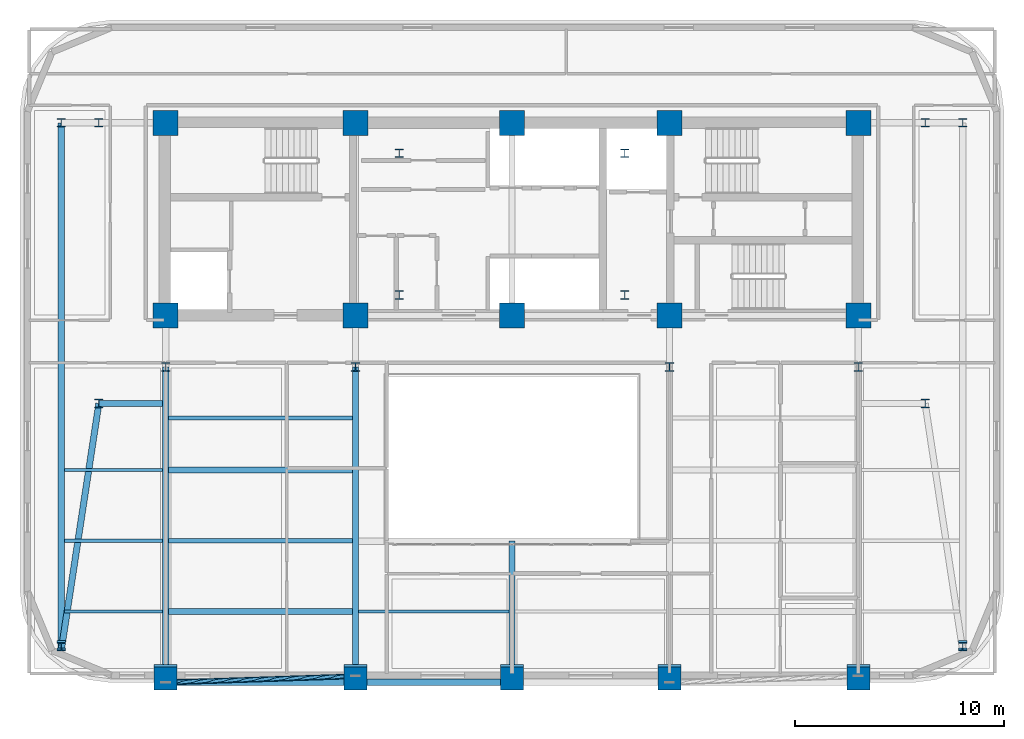
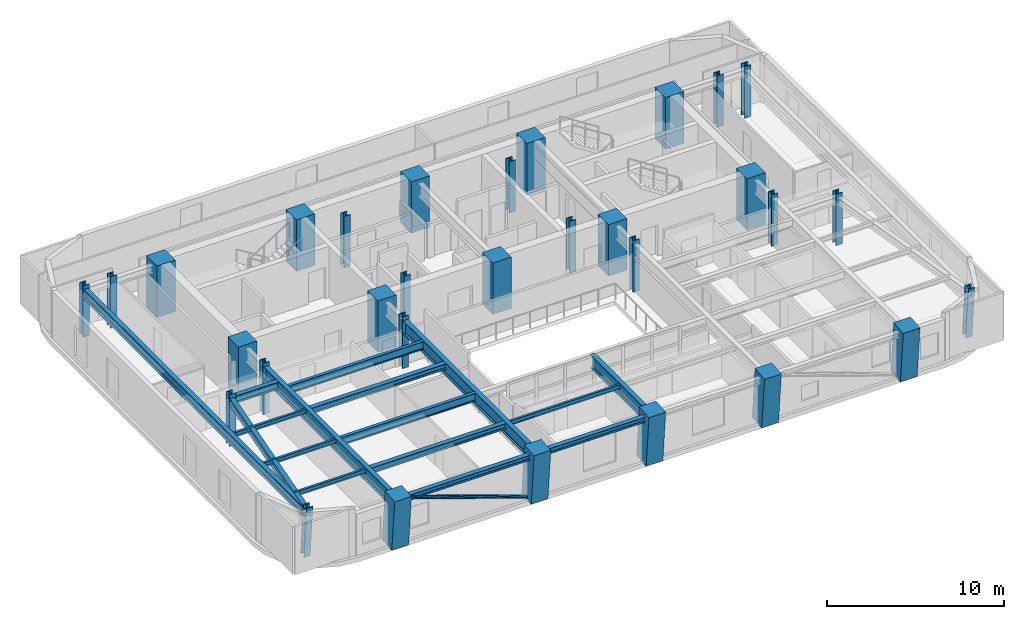
# One storey, part 1 of 12: 31 columns, 16 beams, 1 member.
"""IFC4 building model written with IfcOpenShell, lengths in metres."""

from ifc_helpers import new_model, si_unit, direction, frame, origin, origin_2d, place, context, subcontext, project, spatial, rectangle, hollow_circle, i_section, extrude, material, material_profile, profile_set, type_object, element, save


model = new_model("IFC4")

# Units and contexts
model_context = context("Model", 3, precision=1e-05, world=origin(), true_north=direction((0.0, 1.0)))
body_context = subcontext(model_context, "Body", "Model", "MODEL_VIEW")
ifc_project = project(units=[si_unit("LENGTHUNIT", "METRE"), si_unit("AREAUNIT", "SQUARE_METRE"), si_unit("VOLUMEUNIT", "CUBIC_METRE"), si_unit("PLANEANGLEUNIT", "RADIAN"), si_unit("MASSUNIT", "GRAM", prefix="KILO")], contexts=[model_context])

# Site, building, storey
site_placement = place(None, origin())
site = spatial("IfcSite", under=ifc_project, at=site_placement, CompositionType="ELEMENT")
building_placement = place(site_placement, origin())
building = spatial("IfcBuilding", under=site, at=building_placement, Name="Zarnavel Station Tower", CompositionType="ELEMENT")
storey_placement = place(building_placement, frame((0.0, 0.0, 173.199951171875)))
storey = spatial("IfcBuildingStorey", under=building, at=storey_placement, Name="L47", CompositionType="ELEMENT", Elevation=173.199951171875)

# Columns
ifc_material_1 = material(Name="Steel S355J2", Category="steel")
ifc_material_profile_1 = material_profile(ifc_material_1, i_section(OverallWidth=0.4130859375, OverallDepth=0.4150390625, WebThickness=0.030029296875, FlangeThickness=0.047119140625, FilletRadius=0.014892578125, at=origin_2d()), Name="HD400x347")
ifc_profile_set_1 = profile_set([ifc_material_profile_1], Name="Steel S355J2")
column_type_1 = type_object("IfcColumnType", Name="EC_HD347", PredefinedType="COLUMN", material=ifc_profile_set_1)
column_1_placement = place(storey_placement, frame((7.199951171875, 12.04248046875, 0.0), z_axis=(0.0, -0.079862380324, 0.996805898964), x_axis=(1.0, 0.0, 0.0)))
element("IfcColumn", 1, at=column_1_placement, inside=storey, type_object=column_type_1, Name="L47 Raked Wing Column 1", PredefinedType="COLUMN", context=body_context, shape_type="SweptSolid", body=[
    extrude(i_section(OverallWidth=0.4130859375, OverallDepth=0.4150390625, WebThickness=0.030029296875, FlangeThickness=0.047119140625, FilletRadius=0.014892578125, at=origin_2d()), origin(), (0.0, 0.0, 1.0), 3.5615234375),
])
column_2_placement = place(storey_placement, frame((7.199951171875, 37.050048828125, 0.0), z_axis=(0.0, 0.0, 1.0), x_axis=(1.0, 0.0, 0.0)))
element("IfcColumn", 2, at=column_2_placement, inside=storey, type_object=column_type_1, Name="L47 Outer Wing North Column 1", PredefinedType="COLUMN", context=body_context, shape_type="SweptSolid", body=[
    extrude(i_section(OverallWidth=0.4130859375, OverallDepth=0.4150390625, WebThickness=0.030029296875, FlangeThickness=0.047119140625, FilletRadius=0.014892578125, at=origin_2d()), origin(), (0.0, 0.0, 1.0), 3.550048828125),
])
column_3_placement = place(storey_placement, frame((50.39990234375, 12.04248046875, 0.0), z_axis=(0.0, -0.079862380324, 0.996805898964), x_axis=(1.0, 0.0, 0.0)))
element("IfcColumn", 3, at=column_3_placement, inside=storey, type_object=column_type_1, Name="L47 Raked Wing Column 2", PredefinedType="COLUMN", context=body_context, shape_type="SweptSolid", body=[
    extrude(i_section(OverallWidth=0.4130859375, OverallDepth=0.4150390625, WebThickness=0.030029296875, FlangeThickness=0.047119140625, FilletRadius=0.014892578125, at=origin_2d()), origin(), (0.0, 0.0, 1.0), 3.5615234375),
])
column_4_placement = place(storey_placement, frame((50.39990234375, 37.050048828125, 0.0), z_axis=(0.0, 0.0, 1.0), x_axis=(1.0, 0.0, 0.0)))
element("IfcColumn", 4, at=column_4_placement, inside=storey, type_object=column_type_1, Name="L47 Outer Wing North Column 2", PredefinedType="COLUMN", context=body_context, shape_type="SweptSolid", body=[
    extrude(i_section(OverallWidth=0.4130859375, OverallDepth=0.4150390625, WebThickness=0.030029296875, FlangeThickness=0.047119140625, FilletRadius=0.014892578125, at=origin_2d()), origin(), (0.0, 0.0, 1.0), 3.550048828125),
])
ifc_material_2 = material(Name="Steel S355J2", Category="steel")
ifc_material_profile_2 = material_profile(ifc_material_2, i_section(OverallWidth=0.4130859375, OverallDepth=0.4150390625, WebThickness=0.030029296875, FlangeThickness=0.047119140625, FilletRadius=0.014892578125, at=origin_2d()), Name="HD400x347")
ifc_profile_set_2 = profile_set([ifc_material_profile_2], Name="Steel S355J2")
column_type_2 = type_object("IfcColumnType", Name="IC_HD347", PredefinedType="COLUMN", material=ifc_profile_set_2)
for number, where, z_axis, x_axis, name in (
    (5, (23.39990234375, 28.800048828125, 0.0), (0.0, 0.0, 1.0), (1.0, 0.0, 0.0), "L47 Mast Spine Column 1"),
    (6, (34.199951171875, 28.800048828125, 0.0), (0.0, 0.0, 1.0), (1.0, 0.0, 0.0), "L47 Mast Spine Column 2"),
    (7, (34.199951171875, 35.60009765625, 0.0), (0.0, 0.0, 1.0), (1.0, 0.0, 0.0), "L47 Mast Spine Column 3"),
    (8, (23.39990234375, 35.60009765625, 0.0), (0.0, 0.0, 1.0), (1.0, 0.0, 0.0), "L47 Mast Spine Column 4"),
    (9, (12.199951171875, 25.35009765625, 0.0), (0.0, 0.0, 1.0), (1.0, 0.0, 0.0), "L47 Inner Spine Column 1"),
    (10, (21.300048828125, 25.35009765625, 0.0), (0.0, 0.0, 1.0), (1.0, 0.0, 0.0), "L47 Inner Spine Column 2"),
    (11, (36.35009765625, 25.35009765625, 0.0), (0.0, 0.0, 1.0), (1.0, 0.0, 0.0), "L47 Inner Spine Column 4"),
    (12, (45.39990234375, 25.35009765625, 0.0), (0.0, 0.0, 1.0), (1.0, 0.0, 0.0), "L47 Inner Spine Column 5"),
    (13, (9.0, 23.60009765625, 0.0), (0.0, 0.0, 1.0), (1.0, 0.0, 0.0), "L47 Inner Wing Spine Column 1-1"),
    (14, (9.0, 37.050048828125, 0.0), (0.0, 0.0, 1.0), (1.0, 0.0, 0.0), "L47 Inner Wing Spine Column 1-2"),
    (15, (48.60009765625, 23.60009765625, 0.0), (0.0, 0.0, 1.0), (1.0, 0.0, 0.0), "L47 Inner Wing Spine Column 2-1"),
    (16, (48.60009765625, 37.050048828125, 0.0), (0.0, 0.0, 1.0), (1.0, 0.0, 0.0), "L47 Inner Wing Spine Column 2-2"),
):
    element("IfcColumn", number, at=place(storey_placement, frame(where, z_axis=z_axis, x_axis=x_axis)), inside=storey, type_object=column_type_2, Name=name, PredefinedType="COLUMN", context=body_context, shape_type="SweptSolid", body=[
        extrude(i_section(OverallWidth=0.4130859375, OverallDepth=0.4150390625, WebThickness=0.030029296875, FlangeThickness=0.047119140625, FilletRadius=0.014892578125, at=origin_2d()), origin(), (0.0, 0.0, 1.0), 3.550048828125),
    ])
ifc_material_3 = material(Name="Concrete C50/60", Category="concrete")
ifc_material_profile_3 = material_profile(ifc_material_3, rectangle(XDim=1.199951171875, YDim=1.199951171875, at=origin_2d()), Name="RC1200x1200")
ifc_profile_set_3 = profile_set([ifc_material_profile_3], Name="Concrete C50/60")
column_type_3 = type_object("IfcColumnType", Name="IC_RC1200", PredefinedType="COLUMN", material=ifc_profile_set_3)
for number, where, z_axis, x_axis, name in (
    (17, (12.199951171875, 27.820068359375, 0.0), (0.0, 0.0, 1.0), (1.0, 0.0, 0.0), "L47 Core Spine Column 1-1"),
    (18, (12.199951171875, 37.050048828125, 0.0), (0.0, 0.0, 1.0), (1.0, 0.0, 0.0), "L47 Core Spine Column 1-2"),
    (19, (21.300048828125, 27.820068359375, 0.0), (0.0, 0.0, 1.0), (1.0, 0.0, 0.0), "L47 Core Spine Column 2-1"),
    (20, (21.300048828125, 37.050048828125, 0.0), (0.0, 0.0, 1.0), (1.0, 0.0, 0.0), "L47 Core Spine Column 2-2"),
    (21, (28.800048828125, 27.820068359375, 0.0), (0.0, 0.0, 1.0), (1.0, 0.0, 0.0), "L47 Core Spine Column 3-1"),
    (22, (28.800048828125, 37.050048828125, 0.0), (0.0, 0.0, 1.0), (1.0, 0.0, 0.0), "L47 Core Spine Column 3-2"),
    (23, (36.35009765625, 27.820068359375, 0.0), (0.0, 0.0, 1.0), (1.0, 0.0, 0.0), "L47 Core Spine Column 4-1"),
    (24, (36.35009765625, 37.050048828125, 0.0), (0.0, 0.0, 1.0), (1.0, 0.0, 0.0), "L47 Core Spine Column 4-2"),
    (25, (45.39990234375, 27.820068359375, 0.0), (0.0, 0.0, 1.0), (1.0, 0.0, 0.0), "L47 Core Spine Column 5-1"),
    (26, (45.39990234375, 37.050048828125, 0.0), (0.0, 0.0, 1.0), (1.0, 0.0, 0.0), "L47 Core Spine Column 5-2"),
):
    element("IfcColumn", number, at=place(storey_placement, frame(where, z_axis=z_axis, x_axis=x_axis)), inside=storey, type_object=column_type_3, Name=name, PredefinedType="COLUMN", context=body_context, shape_type="SweptSolid", body=[
        extrude(rectangle(XDim=1.199951171875, YDim=1.199951171875, at=origin_2d()), origin(), (0.0, 0.0, 1.0), 3.550048828125),
    ])
ifc_material_4 = material(Name="Concrete C50/60", Category="concrete")
ifc_material_profile_4 = material_profile(ifc_material_4, rectangle(XDim=1.10009765625, YDim=1.10009765625, at=origin_2d()), Name="RC1100x1100")
ifc_profile_set_4 = profile_set([ifc_material_profile_4], Name="Concrete C50/60")
column_type_4 = type_object("IfcColumnType", Name="MC_RC1100", PredefinedType="COLUMN", material=ifc_profile_set_4)
for number, where, z_axis, x_axis, name in (
    (27, (12.199951171875, 10.53271484375, 0.0), (0.0, -0.0902702026, 0.995917311087), (1.0, 0.0, 0.0), "L47 Raked South Mega-Column 1"),
    (28, (21.300048828125, 10.53271484375, 0.0), (0.0, -0.0902702026, 0.995917311087), (1.0, 0.0, 0.0), "L47 Raked South Mega-Column 2"),
    (29, (28.800048828125, 10.53271484375, 0.0), (0.0, -0.0902702026, 0.995917311087), (1.0, 0.0, 0.0), "L47 Raked South Mega-Column 3"),
    (30, (36.35009765625, 10.53271484375, 0.0), (0.0, -0.0902702026, 0.995917311087), (1.0, 0.0, 0.0), "L47 Raked South Mega-Column 4"),
    (31, (45.39990234375, 10.53271484375, 0.0), (0.0, -0.0902702026, 0.995917311087), (1.0, 0.0, 0.0), "L47 Raked South Mega-Column 5"),
):
    element("IfcColumn", number, at=place(storey_placement, frame(where, z_axis=z_axis, x_axis=x_axis)), inside=storey, type_object=column_type_4, Name=name, PredefinedType="COLUMN", context=body_context, shape_type="SweptSolid", body=[
        extrude(rectangle(XDim=1.10009765625, YDim=1.10009765625, at=origin_2d()), origin(), (0.0, 0.0, 1.0), 3.564697265625),
    ])

# Member
ifc_material_5 = material(Name="Steel S355J2", Category="steel")
ifc_material_profile_5 = material_profile(ifc_material_5, hollow_circle(Radius=0.122314453125, WallThickness=0.010009765625, at=origin_2d()), Name="CHS244.5x10")
ifc_profile_set_5 = profile_set([ifc_material_profile_5], Name="Steel S355J2")
member_type = type_object("IfcMemberType", Name="DB_EXT_CHS245", PredefinedType="BRACE", material=ifc_profile_set_5)
member_placement = place(storey_placement, frame((21.300048828125, 10.53271484375, 0.0), z_axis=(-0.93997940641, -0.030791298364, 0.339839096442), x_axis=(0.032739857023, -0.999463907183, 0.0)))
element("IfcMember", 32, at=member_placement, inside=storey, type_object=member_type, Name="L47 Persian Exterior Diagonal Frame Brace 1", PredefinedType="BRACE", context=body_context, shape_type="SweptSolid", body=[
    extrude(hollow_circle(Radius=0.122314453125, WallThickness=0.010009765625, at=origin_2d()), origin(), (0.0, 0.0, 1.0), 9.68115234375),
])

# Beams
ifc_material_6 = material(Name="Steel S355J2", Category="steel")
ifc_material_profile_6 = material_profile(ifc_material_6, i_section(OverallWidth=0.300048828125, OverallDepth=0.360107421875, WebThickness=0.012451171875, FlangeThickness=0.0224609375, FilletRadius=0.027099609375, at=origin_2d()), Name="HEB360")
ifc_profile_set_6 = profile_set([ifc_material_profile_6], Name="Steel S355J2")
beam_type_1 = type_object("IfcBeamType", Name="EB_HEB360", PredefinedType="SPANDREL", material=ifc_profile_set_6)
beam_1_placement = place(storey_placement, frame((12.199951171875, 10.234619140625, 3.110107421875), z_axis=(1.0, 0.0, 0.0), x_axis=(0.0, 1.0, 0.0)))
element("IfcBeam", 33, at=beam_1_placement, inside=storey, type_object=beam_type_1, Name="L47 South Raked Spandrel 1", PredefinedType="SPANDREL", context=body_context, shape_type="SweptSolid", body=[
    extrude(i_section(OverallWidth=0.300048828125, OverallDepth=0.360107421875, WebThickness=0.012451171875, FlangeThickness=0.0224609375, FilletRadius=0.027099609375, at=origin_2d()), origin(), (0.0, 0.0, 1.0), 9.10009765625),
])
beam_2_placement = place(storey_placement, frame((21.300048828125, 10.234619140625, 3.110107421875), z_axis=(1.0, 0.0, 0.0), x_axis=(0.0, 1.0, 0.0)))
element("IfcBeam", 34, at=beam_2_placement, inside=storey, type_object=beam_type_1, Name="L47 South Raked Spandrel 2", PredefinedType="SPANDREL", context=body_context, shape_type="SweptSolid", body=[
    extrude(i_section(OverallWidth=0.300048828125, OverallDepth=0.360107421875, WebThickness=0.012451171875, FlangeThickness=0.0224609375, FilletRadius=0.027099609375, at=origin_2d()), origin(), (0.0, 0.0, 1.0), 7.5),
])
ifc_material_7 = material(Name="Steel S355J2", Category="steel")
ifc_material_profile_7 = material_profile(ifc_material_7, i_section(OverallWidth=0.300048828125, OverallDepth=0.389892578125, WebThickness=0.010986328125, FlangeThickness=0.01904296875, FilletRadius=0.027099609375, at=origin_2d()), Name="HEA400")
ifc_profile_set_7 = profile_set([ifc_material_profile_7], Name="Steel S355J2")
beam_type_2 = type_object("IfcBeamType", Name="FB_HEA400", PredefinedType="BEAM", material=ifc_profile_set_7)
for number, where, z_axis, x_axis, name in (
    (35, (12.344970703125, 13.627685546875, 3.094970703125), (1.0, 0.0, 0.0), (0.0, 1.0, 0.0), "L47 West Bay Beam 1"),
    (36, (12.344970703125, 20.413818359375, 3.094970703125), (1.0, 0.0, 0.0), (0.0, 1.0, 0.0), "L47 West Bay Beam 3"),
):
    element("IfcBeam", number, at=place(storey_placement, frame(where, z_axis=z_axis, x_axis=x_axis)), inside=storey, type_object=beam_type_2, Name=name, PredefinedType="BEAM", context=body_context, shape_type="SweptSolid", body=[
        extrude(i_section(OverallWidth=0.300048828125, OverallDepth=0.389892578125, WebThickness=0.010986328125, FlangeThickness=0.01904296875, FilletRadius=0.027099609375, at=origin_2d()), origin(), (0.0, 0.0, 1.0), 8.81005859375),
    ])
ifc_material_8 = material(Name="Steel S355J2", Category="steel")
ifc_material_profile_8 = material_profile(ifc_material_8, i_section(OverallWidth=0.2099609375, OverallDepth=0.550048828125, WebThickness=0.010986328125, FlangeThickness=0.01708984375, FilletRadius=0.02392578125, at=origin_2d()), Name="IPE550")
ifc_profile_set_8 = profile_set([ifc_material_profile_8], Name="Steel S355J2")
beam_type_3 = type_object("IfcBeamType", Name="FB_IPE550", PredefinedType="BEAM", material=ifc_profile_set_8)
for number, where, z_axis, x_axis, name in (
    (37, (12.344970703125, 17.020751953125, 3.01513671875), (1.0, 0.0, 0.0), (0.0, 1.0, 0.0), "L47 West Bay Beam 2"),
    (38, (12.344970703125, 22.906982421875, 3.01513671875), (1.0, 0.0, 0.0), (0.0, 1.0, 0.0), "L47 West Bay Beam 4"),
):
    element("IfcBeam", number, at=place(storey_placement, frame(where, z_axis=z_axis, x_axis=x_axis)), inside=storey, type_object=beam_type_3, Name=name, PredefinedType="BEAM", context=body_context, shape_type="SweptSolid", body=[
        extrude(i_section(OverallWidth=0.2099609375, OverallDepth=0.550048828125, WebThickness=0.010986328125, FlangeThickness=0.01708984375, FilletRadius=0.02392578125, at=origin_2d()), origin(), (0.0, 0.0, 1.0), 8.81005859375),
    ])
ifc_material_9 = material(Name="Steel S355J2", Category="steel")
ifc_material_profile_9 = material_profile(ifc_material_9, i_section(OverallWidth=0.300048828125, OverallDepth=0.5, WebThickness=0.014404296875, FlangeThickness=0.028076171875, FilletRadius=0.027099609375, at=origin_2d()), Name="HEB500")
ifc_profile_set_9 = profile_set([ifc_material_profile_9], Name="Steel S355J2")
beam_type_4 = type_object("IfcBeamType", Name="FG_HEB500", PredefinedType="USERDEFINED", material=ifc_profile_set_9)
beam_3_placement = place(storey_placement, frame((7.199951171875, 11.77880859375, 3.0400390625), z_axis=(0.150536566474, 0.988604441703, 0.0), x_axis=(-0.988604441703, 0.150536566474, 0.0)))
element("IfcBeam", 39, at=beam_3_placement, inside=storey, type_object=beam_type_4, Name="L47 West Wing South Tie 1", ObjectType="GIRDER", PredefinedType="USERDEFINED", context=body_context, shape_type="SweptSolid", body=[
    extrude(i_section(OverallWidth=0.300048828125, OverallDepth=0.5, WebThickness=0.014404296875, FlangeThickness=0.028076171875, FilletRadius=0.027099609375, at=origin_2d()), origin(), (0.0, 0.0, 1.0), 11.95751953125),
])
beam_4_placement = place(storey_placement, frame((9.0, 23.60009765625, 3.0400390625), z_axis=(1.0, 0.0, 0.0), x_axis=(0.0, 1.0, 0.0)))
element("IfcBeam", 40, at=beam_4_placement, inside=storey, type_object=beam_type_4, Name="L47 West Wing South Tie 2", ObjectType="GIRDER", PredefinedType="USERDEFINED", context=body_context, shape_type="SweptSolid", body=[
    extrude(i_section(OverallWidth=0.300048828125, OverallDepth=0.5, WebThickness=0.014404296875, FlangeThickness=0.028076171875, FilletRadius=0.027099609375, at=origin_2d()), origin(), (0.0, 0.0, 1.0), 3.054931640625),
])
ifc_material_10 = material(Name="Steel S355J2", Category="steel")
ifc_material_profile_10 = material_profile(ifc_material_10, i_section(OverallWidth=0.300048828125, OverallDepth=0.64990234375, WebThickness=0.01611328125, FlangeThickness=0.031005859375, FilletRadius=0.027099609375, at=origin_2d()), Name="HEB650")
ifc_profile_set_10 = profile_set([ifc_material_profile_10], Name="Steel S355J2")
beam_type_5 = type_object("IfcBeamType", Name="FG_HEB650", PredefinedType="USERDEFINED", material=ifc_profile_set_10)
beam_5_placement = place(storey_placement, frame((7.199951171875, 11.77880859375, 2.965087890625), z_axis=(0.0, 1.0, 0.0), x_axis=(-1.0, 0.0, 0.0)))
element("IfcBeam", 41, at=beam_5_placement, inside=storey, type_object=beam_type_5, Name="L47 Wing NS Girder 1", ObjectType="GIRDER", PredefinedType="USERDEFINED", context=body_context, shape_type="SweptSolid", body=[
    extrude(i_section(OverallWidth=0.300048828125, OverallDepth=0.64990234375, WebThickness=0.01611328125, FlangeThickness=0.031005859375, FilletRadius=0.027099609375, at=origin_2d()), origin(), (0.0, 0.0, 1.0), 25.271240234375),
])
ifc_material_11 = material(Name="Steel S355J2", Category="steel")
ifc_material_profile_11 = material_profile(ifc_material_11, i_section(OverallWidth=0.300048828125, OverallDepth=0.89990234375, WebThickness=0.0185546875, FlangeThickness=0.034912109375, FilletRadius=0.030029296875, at=origin_2d()), Name="HEB900")
ifc_profile_set_11 = profile_set([ifc_material_profile_11], Name="Steel S355J2")
beam_type_6 = type_object("IfcBeamType", Name="FG_HEB900", PredefinedType="USERDEFINED", material=ifc_profile_set_11)
for number, where, z_axis, x_axis, name in (
    (42, (12.199951171875, 10.234619140625, 2.840087890625), (0.0, 1.0, 0.0), (-1.0, 0.0, 0.0), "L47 South-Zone NS Girder 1"),
    (43, (21.300048828125, 10.234619140625, 2.840087890625), (0.0, 1.0, 0.0), (-1.0, 0.0, 0.0), "L47 South-Zone NS Girder 2"),
):
    element("IfcBeam", number, at=place(storey_placement, frame(where, z_axis=z_axis, x_axis=x_axis)), inside=storey, type_object=beam_type_6, Name=name, ObjectType="GIRDER", PredefinedType="USERDEFINED", context=body_context, shape_type="SweptSolid", body=[
        extrude(i_section(OverallWidth=0.300048828125, OverallDepth=0.89990234375, WebThickness=0.0185546875, FlangeThickness=0.034912109375, FilletRadius=0.030029296875, at=origin_2d()), origin(), (0.0, 0.0, 1.0), 15.115478515625),
    ])
beam_6_placement = place(storey_placement, frame((28.800048828125, 10.234619140625, 2.840087890625), z_axis=(0.0, 1.0, 0.0), x_axis=(-1.0, 0.0, 0.0)))
element("IfcBeam", 44, at=beam_6_placement, inside=storey, type_object=beam_type_6, Name="L47 Central Atrium-South Girder", ObjectType="GIRDER", PredefinedType="USERDEFINED", context=body_context, shape_type="SweptSolid", body=[
    extrude(i_section(OverallWidth=0.300048828125, OverallDepth=0.89990234375, WebThickness=0.0185546875, FlangeThickness=0.034912109375, FilletRadius=0.030029296875, at=origin_2d()), origin(), (0.0, 0.0, 1.0), 6.765380859375),
])
ifc_material_12 = material(Name="Steel S355J2", Category="steel")
ifc_material_profile_12 = material_profile(ifc_material_12, i_section(OverallWidth=0.14990234375, OverallDepth=0.300048828125, WebThickness=0.007080078125, FlangeThickness=0.0107421875, FilletRadius=0.014892578125, at=origin_2d()), Name="IPE300")
ifc_profile_set_12 = profile_set([ifc_material_profile_12], Name="Steel S355J2")
beam_type_7 = type_object("IfcBeamType", Name="FJ_IPE300", PredefinedType="JOIST", material=ifc_profile_set_12)
beam_7_placement = place(storey_placement, frame((21.445068359375, 13.627685546875, 3.14013671875), z_axis=(1.0, 0.0, 0.0), x_axis=(0.0, 1.0, 0.0)))
element("IfcBeam", 45, at=beam_7_placement, inside=storey, type_object=beam_type_7, Name="L47 Mid-West Joist 1", PredefinedType="JOIST", context=body_context, shape_type="SweptSolid", body=[
    extrude(i_section(OverallWidth=0.14990234375, OverallDepth=0.300048828125, WebThickness=0.007080078125, FlangeThickness=0.0107421875, FilletRadius=0.014892578125, at=origin_2d()), origin(), (0.0, 0.0, 1.0), 7.2099609375),
])
for number, where, z_axis, x_axis, name in (
    (46, (7.344970703125, 13.627685546875, 3.14013671875), (1.0, 0.0, 0.0), (0.0, 1.0, 0.0), "L47 West Wing Joist 1"),
    (47, (7.344970703125, 17.020751953125, 3.14013671875), (1.0, 0.0, 0.0), (0.0, 1.0, 0.0), "L47 West Wing Joist 2"),
    (48, (7.344970703125, 20.413818359375, 3.14013671875), (1.0, 0.0, 0.0), (0.0, 1.0, 0.0), "L47 West Wing Joist 3"),
):
    element("IfcBeam", number, at=place(storey_placement, frame(where, z_axis=z_axis, x_axis=x_axis)), inside=storey, type_object=beam_type_7, Name=name, PredefinedType="JOIST", context=body_context, shape_type="SweptSolid", body=[
        extrude(i_section(OverallWidth=0.14990234375, OverallDepth=0.300048828125, WebThickness=0.007080078125, FlangeThickness=0.0107421875, FilletRadius=0.014892578125, at=origin_2d()), origin(), (0.0, 0.0, 1.0), 4.7099609375),
    ])

save(model, "model.ifc")
